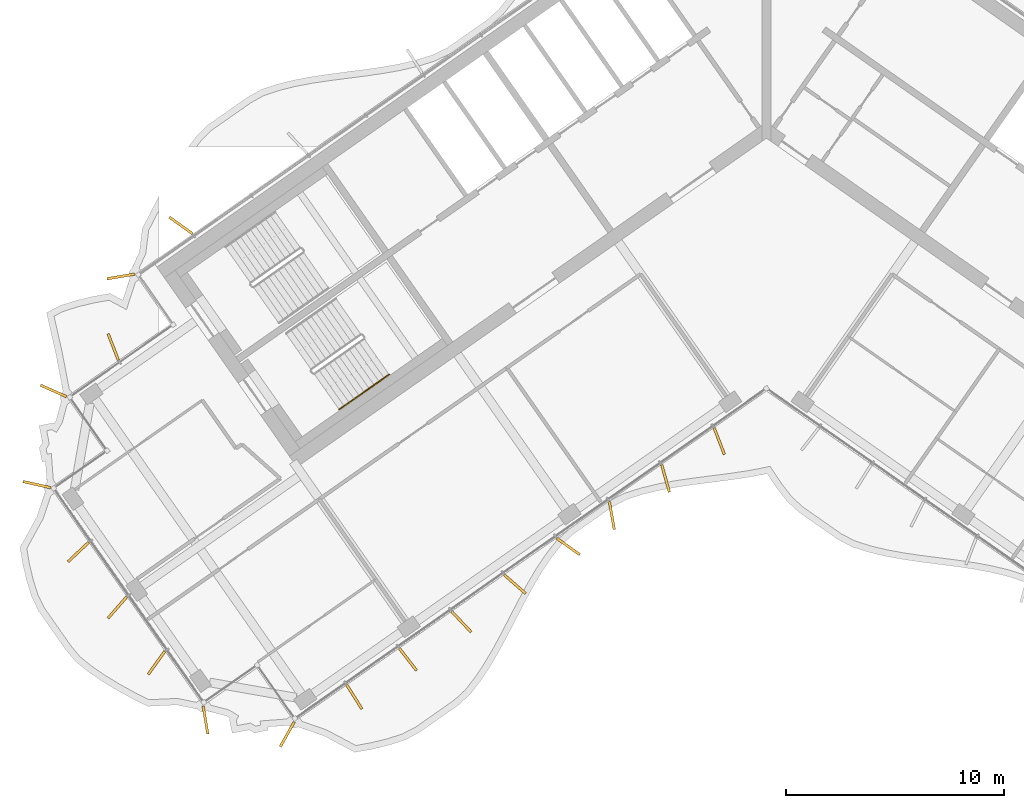
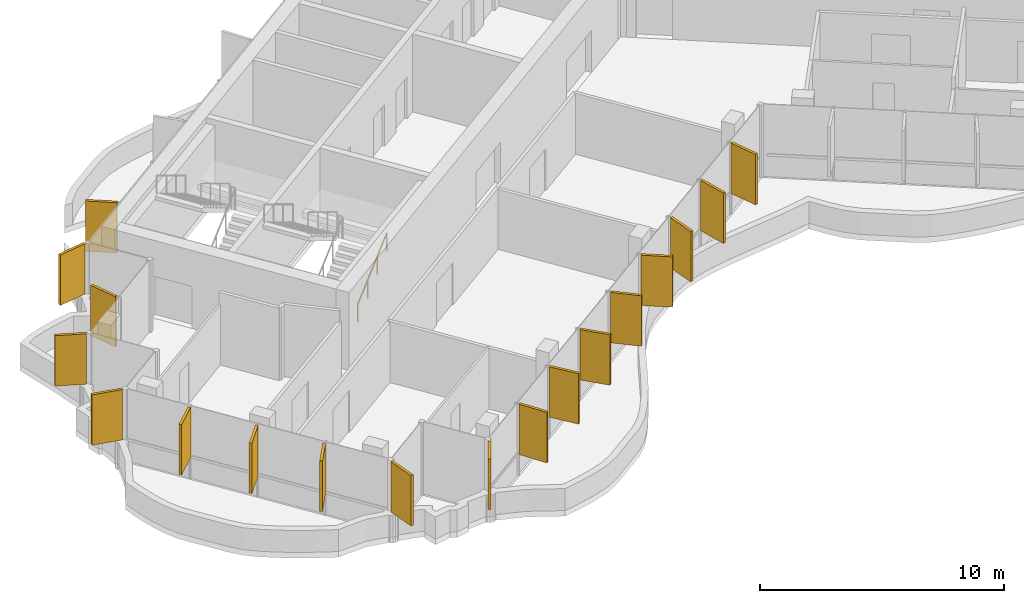
# One storey, part 14 of 18: 18 shading devices, 1 railing.
"""IFC4 building model written with IfcOpenShell, lengths in metres."""

from ifc_helpers import new_model, si_unit, direction, frame, origin, origin_2d, place, context, subcontext, project, spatial, rectangle, circle, extrude, material, layer, layer_set, type_object, element, save


model = new_model("IFC4")

# Units and contexts
model_context = context("Model", 3, precision=1e-05, world=origin(), true_north=direction((0.0, 1.0)))
body_context = subcontext(model_context, "Body", "Model", "MODEL_VIEW")
ifc_project = project(units=[si_unit("LENGTHUNIT", "METRE"), si_unit("AREAUNIT", "SQUARE_METRE"), si_unit("VOLUMEUNIT", "CUBIC_METRE"), si_unit("PLANEANGLEUNIT", "RADIAN"), si_unit("MASSUNIT", "GRAM", prefix="KILO")], contexts=[model_context])

# Site, building, storey
site_placement = place(None, origin())
site = spatial("IfcSite", under=ifc_project, at=site_placement, CompositionType="ELEMENT")
building_placement = place(site_placement, origin())
building = spatial("IfcBuilding", under=site, at=building_placement, Name="Tel Ilan Convention Tower", CompositionType="ELEMENT")
storey_placement = place(building_placement, frame((0.0, 0.0, 252.699951171875)))
storey = spatial("IfcBuildingStorey", under=building, at=storey_placement, Name="L59", CompositionType="ELEMENT", Elevation=252.699951171875)

# Shading devices
ifc_material_1 = material(Name="Aluminium, bronze anodised", Category="aluminium")
ifc_layer = layer(ifc_material_1, 0.1201171875)
ifc_layer_set = layer_set([ifc_layer], Name="FIN BRONZE 1300x120")
shading_device_type = type_object("IfcShadingDeviceType", Name="FIN BRONZE 1300x120", PredefinedType="USERDEFINED", material=ifc_layer_set)
for number, where, z_axis, x_axis, name in (
    (1, (-26.8662109375, -5.2216796875, 1.10009765625), (0.0, 0.0, 1.0), (-0.813552070258, 0.581492071294, 0.0), "FIN"),
    (2, (-29.619140625, -7.562255859375, 1.10009765625), (0.0, 0.0, 1.0), (-0.986445172547, -0.16409119891, 0.0), "FIN"),
    (3, (-29.970458984375, -10.79833984375, 1.10009765625), (0.0, 0.0, 1.0), (-0.360177724803, 0.932883704733, 0.0), "FIN"),
    (4, (-32.7119140625, -12.813720703125, 1.10009765625), (0.0, 0.0, 1.0), (-0.914332505315, 0.404964282034, 0.0), "FIN"),
    (5, (-33.476806640625, -17.113525390625, 1.10009765625), (0.0, 0.0, 1.0), (-0.975235208752, 0.221170268371, 0.0), "FIN"),
    (6, (-31.57080078125, -20.206787109375, 1.10009765625), (0.0, 0.0, 1.0), (-0.727373641577, -0.686241637865, 0.0), "FIN"),
    (7, (-29.780517578125, -22.752197265625, 1.10009765625), (0.0, 0.0, 1.0), (-0.657521368568, -0.753435896329, 0.0), "FIN"),
    (8, (-27.986328125, -25.292724609375, 1.10009765625), (0.0, 0.0, 1.0), (-0.581492071294, -0.813552070258, 0.0), "FIN"),
    (9, (-25.73974609375, -27.91162109375, 1.10009765625), (0.0, 0.0, 1.0), (0.16409119891, -0.986445172547, 0.0), "FIN"),
    (10, (-21.98779296875, -28.5732421875, 1.10009765625), (0.0, 0.0, 1.0), (-0.491579408049, -0.870832754082, 0.0), "FIN"),
    (11, (-18.90966796875, -26.854248046875, 1.10009765625), (0.0, 0.0, 1.0), (0.533204432798, -0.845986425922, 0.0), "FIN"),
    (12, (-16.450927734375, -25.132568359375, 1.10009765625), (0.0, 0.0, 1.0), (0.612600545196, -0.790392669516, 0.0), "FIN"),
    (13, (-13.992431640625, -23.410888671875, 1.10009765625), (0.0, 0.0, 1.0), (0.686241637865, -0.727373641577, 0.0), "FIN"),
    (14, (-11.538330078125, -21.6845703125, 1.10009765625), (0.0, 0.0, 1.0), (0.753435896329, -0.657521368568, 0.0), "FIN"),
    (15, (-9.0888671875, -19.9541015625, 1.10009765625), (0.0, 0.0, 1.0), (0.813552070258, -0.581492071294, 0.0), "FIN"),
    (16, (-7.094482421875, -18.53515625, 1.10009765625), (0.0, 0.0, 1.0), (0.173648177667, -0.984807753012, 0.0), "FIN"),
    (17, (-4.62890625, -16.831298828125, 1.10009765625), (0.0, 0.0, 1.0), (0.268172612768, -0.963370878614, 0.0), "FIN"),
    (18, (-2.1650390625, -15.121337890625, 1.10009765625), (0.0, 0.0, 1.0), (0.360177724803, -0.932883704733, 0.0), "FIN"),
):
    element("IfcShadingDevice", number, at=place(storey_placement, frame(where, z_axis=z_axis, x_axis=x_axis)), inside=storey, type_object=shading_device_type, Name=name, ObjectType="FIN", PredefinedType="USERDEFINED", context=body_context, shape_type="SweptSolid", body=[
        extrude(rectangle(XDim=1.300048828125, YDim=0.1201171875, at=origin_2d()), origin(), (0.0, 0.0, 1.0), 2.52001953125),
    ])

# Railing
ifc_material_2 = material(Name="Stainless Steel Grade 316", Category="steel")
railing_type = type_object("IfcRailingType", Name="Stainless Steel Stair Handrail 900 mm", PredefinedType="HANDRAIL", material=ifc_material_2)
railing_placement = place(storey_placement, frame((-19.6064453125, -13.66748046875, 0.17724609375)))
element("IfcRailing", 19, at=railing_placement, inside=storey, type_object=railing_type, Name="L59 S2 stair handrail 1", PredefinedType="HANDRAIL", context=body_context, shape_type="SweptSolid", body=[
    extrude(circle(Radius=0.02392578125, at=origin_2d()), frame((0.0, 0.0, 0.8759765625), z_axis=(0.692123088272, 0.484596665743, 0.534912798717), x_axis=(-0.573550118428, 0.819170471667, 0.0)), (0.0, 0.0, 1.0), 3.31396484375),
    extrude(circle(Radius=0.02099609375, at=origin_2d()), origin(), (0.0, 0.0, 1.0), 0.851806640625),
    extrude(circle(Radius=0.02099609375, at=origin_2d()), frame((0.7646484375, 0.535400390625, 0.5908203125)), (0.0, 0.0, 1.0), 0.851806640625),
    extrude(circle(Radius=0.02099609375, at=origin_2d()), frame((1.529052734375, 1.070556640625, 1.181884765625)), (0.0, 0.0, 1.0), 0.851806640625),
    extrude(circle(Radius=0.02099609375, at=origin_2d()), frame((2.293701171875, 1.60595703125, 1.772705078125)), (0.0, 0.0, 1.0), 0.851806640625),
])

save(model, "model.ifc")
